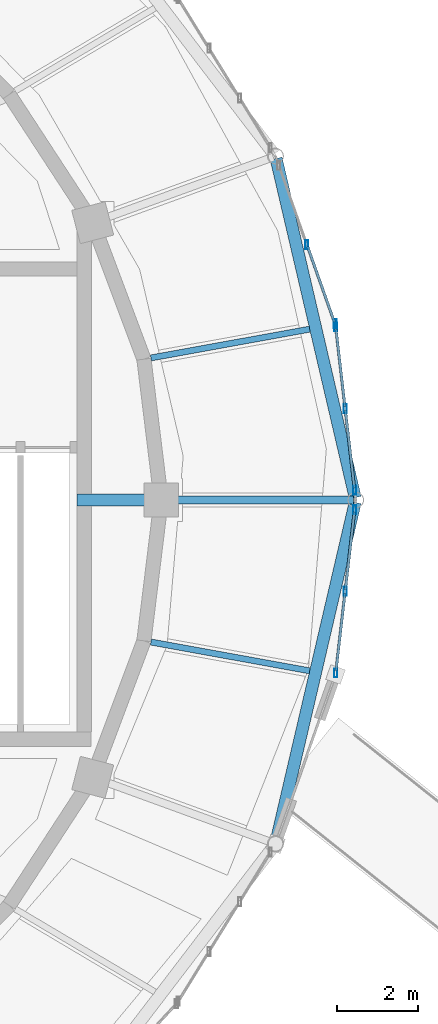
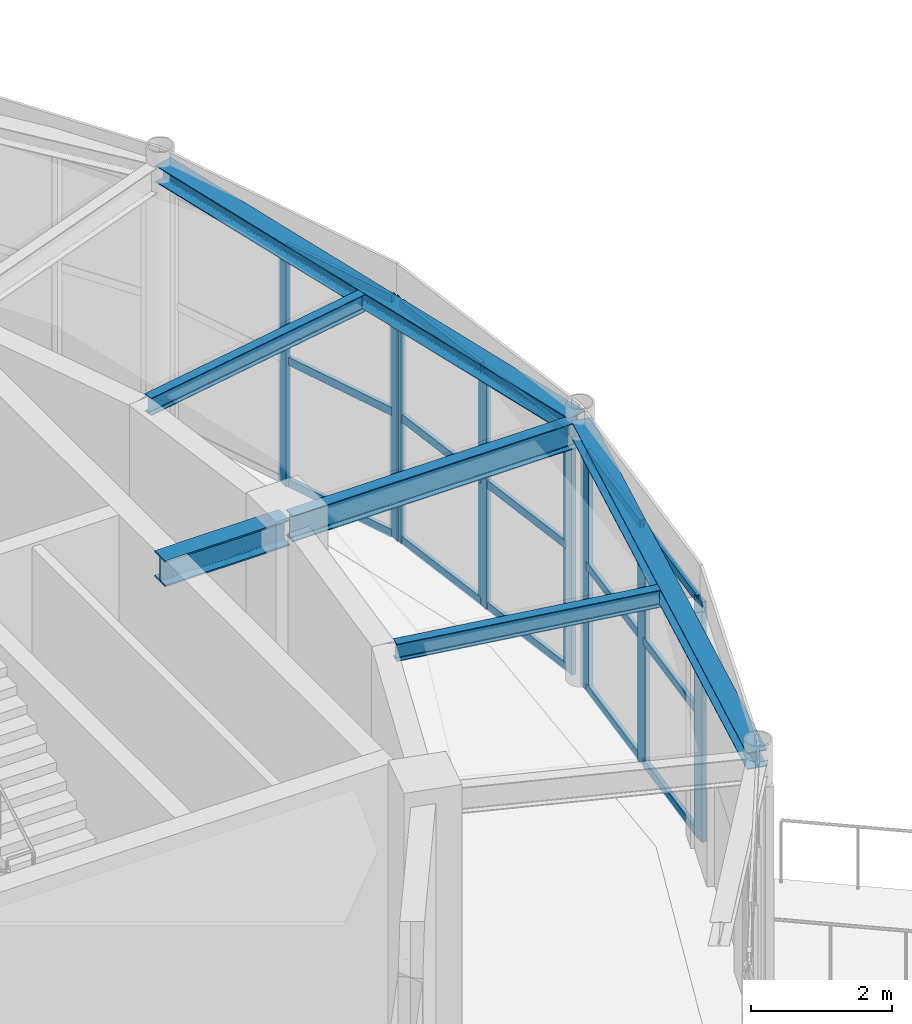
# One storey, part 41 of 100: 23 members, 6 beams, 3 elements without a shape of their own.
"""IFC4 building model written with IfcOpenShell, lengths in metres."""

from ifc_helpers import new_model, si_unit, direction, frame, origin, origin_2d, place, context, subcontext, project, spatial, hollow_rectangle, i_section, extrude, material, material_profile, profile_set, type_object, element, aggregate, save


model = new_model("IFC4")

# Units and contexts
model_context = context("Model", 3, precision=1e-05, world=origin(), true_north=direction((0.0, 1.0)))
body_context = subcontext(model_context, "Body", "Model", "MODEL_VIEW")
ifc_project = project(units=[si_unit("LENGTHUNIT", "METRE"), si_unit("AREAUNIT", "SQUARE_METRE"), si_unit("VOLUMEUNIT", "CUBIC_METRE"), si_unit("PLANEANGLEUNIT", "RADIAN"), si_unit("MASSUNIT", "GRAM", prefix="KILO")], contexts=[model_context])

# Site, building, storey
site_placement = place(None, origin())
site = spatial("IfcSite", under=ifc_project, at=site_placement, CompositionType="ELEMENT")
building_placement = place(site_placement, origin())
building = spatial("IfcBuilding", under=site, at=building_placement, Name="Tarnveldt Headland Concert Hall", CompositionType="ELEMENT")
storey_placement = place(building_placement, frame((0.0, 0.0, 4.800048828125)))
storey = spatial("IfcBuildingStorey", under=building, at=storey_placement, Name="L01", CompositionType="ELEMENT", Elevation=4.800048828125)

# Curtain wall, members
ifc_material_1 = material(Name="Marine-anodised aluminium EN AW-6063-T6", Category="aluminium")
curtain_wall_type = type_object("IfcCurtainWallType", Name="CW-F2", PredefinedType="NOTDEFINED", material=ifc_material_1)
curtain_wall_1_placement = place(storey_placement, origin())
curtain_wall_1 = element("IfcCurtainWall", 1, at=curtain_wall_1_placement, inside=storey, type_object=curtain_wall_type, Name="Curtain wall CW-L01-027", PredefinedType="NOTDEFINED")
ifc_material_profile_1 = material_profile(ifc_material_1, hollow_rectangle(XDim=0.074951171875, YDim=0.219970703125, WallThickness=0.0048828125, at=origin_2d()), Name="ALU MULLION 75x220x5", Category="aluminium")
ifc_profile_set_1 = profile_set([ifc_material_profile_1], Name="Marine-anodised aluminium EN AW-6063-T6")
member_type_1 = type_object("IfcMemberType", Name="ML-200", PredefinedType="MULLION", material=ifc_profile_set_1)
member_1_placement = place(storey_placement, frame((116.27197265625, 54.74169921875, 0.0), z_axis=(0.0, 0.0, 1.0), x_axis=(1.0, 0.0, 0.0)))
member_1 = element("IfcMember", 2, at=member_1_placement, type_object=member_type_1, Name="Mullion CW-L01-027-1", PredefinedType="MULLION", context=body_context, shape_type="SweptSolid", body=[
    extrude(hollow_rectangle(XDim=0.074951171875, YDim=0.219970703125, WallThickness=0.0048828125, at=origin_2d()), origin(), (0.0, 0.0, 1.0), 4.159912109375),
])
member_2_placement = place(storey_placement, frame((116.039306640625, 56.754150390625, 0.0), z_axis=(0.0, 0.0, 1.0), x_axis=(1.0, 0.0, 0.0)))
member_2 = element("IfcMember", 3, at=member_2_placement, type_object=member_type_1, Name="Mullion CW-L01-027-2", PredefinedType="MULLION", context=body_context, shape_type="SweptSolid", body=[
    extrude(hollow_rectangle(XDim=0.074951171875, YDim=0.219970703125, WallThickness=0.0048828125, at=origin_2d()), origin(), (0.0, 0.0, 1.0), 4.159912109375),
])
member_3_placement = place(storey_placement, frame((115.806396484375, 58.766845703125, 0.0), z_axis=(0.0, 0.0, 1.0), x_axis=(1.0, 0.0, 0.0)))
member_3 = element("IfcMember", 4, at=member_3_placement, type_object=member_type_1, Name="Mullion CW-L01-027-3", PredefinedType="MULLION", context=body_context, shape_type="SweptSolid", body=[
    extrude(hollow_rectangle(XDim=0.074951171875, YDim=0.219970703125, WallThickness=0.0048828125, at=origin_2d()), origin(), (0.0, 0.0, 1.0), 4.159912109375),
])

curtain_wall_2_placement = place(storey_placement, origin())
curtain_wall_2 = element("IfcCurtainWall", 5, at=curtain_wall_2_placement, inside=storey, type_object=curtain_wall_type, Name="Curtain wall CW-L01-028", PredefinedType="NOTDEFINED")
member_4_placement = place(storey_placement, frame((115.788330078125, 58.84423828125, 0.0), z_axis=(0.0, 0.0, 1.0), x_axis=(1.0, 0.0, 0.0)))
member_4 = element("IfcMember", 6, at=member_4_placement, type_object=member_type_1, Name="Mullion CW-L01-028-1", PredefinedType="MULLION", context=body_context, shape_type="SweptSolid", body=[
    extrude(hollow_rectangle(XDim=0.074951171875, YDim=0.219970703125, WallThickness=0.0048828125, at=origin_2d()), origin(), (0.0, 0.0, 1.0), 4.159912109375),
])
member_5_placement = place(storey_placement, frame((115.095703125, 60.798583984375, 0.0), z_axis=(0.0, 0.0, 1.0), x_axis=(1.0, 0.0, 0.0)))
member_5 = element("IfcMember", 7, at=member_5_placement, type_object=member_type_1, Name="Mullion CW-L01-028-2", PredefinedType="MULLION", context=body_context, shape_type="SweptSolid", body=[
    extrude(hollow_rectangle(XDim=0.074951171875, YDim=0.219970703125, WallThickness=0.0048828125, at=origin_2d()), origin(), (0.0, 0.0, 1.0), 4.159912109375),
])

curtain_wall_3_placement = place(storey_placement, origin())
curtain_wall_3 = element("IfcCurtainWall", 8, at=curtain_wall_3_placement, inside=storey, type_object=curtain_wall_type, Name="Curtain wall CW-L01-059", PredefinedType="NOTDEFINED")
member_6_placement = place(storey_placement, frame((115.806396484375, 50.233154296875, 0.0), z_axis=(0.0, 0.0, 1.0), x_axis=(1.0, 0.0, 0.0)))
member_6 = element("IfcMember", 9, at=member_6_placement, type_object=member_type_1, Name="Mullion CW-L01-059-1", PredefinedType="MULLION", context=body_context, shape_type="SweptSolid", body=[
    extrude(hollow_rectangle(XDim=0.074951171875, YDim=0.219970703125, WallThickness=0.0048828125, at=origin_2d()), origin(), (0.0, 0.0, 1.0), 4.159912109375),
])
member_7_placement = place(storey_placement, frame((116.039306640625, 52.245849609375, 0.0), z_axis=(0.0, 0.0, 1.0), x_axis=(1.0, 0.0, 0.0)))
member_7 = element("IfcMember", 10, at=member_7_placement, type_object=member_type_1, Name="Mullion CW-L01-059-2", PredefinedType="MULLION", context=body_context, shape_type="SweptSolid", body=[
    extrude(hollow_rectangle(XDim=0.074951171875, YDim=0.219970703125, WallThickness=0.0048828125, at=origin_2d()), origin(), (0.0, 0.0, 1.0), 4.159912109375),
])
member_8_placement = place(storey_placement, frame((116.27197265625, 54.25830078125, 0.0), z_axis=(0.0, 0.0, 1.0), x_axis=(1.0, 0.0, 0.0)))
member_8 = element("IfcMember", 11, at=member_8_placement, type_object=member_type_1, Name="Mullion CW-L01-059-3", PredefinedType="MULLION", context=body_context, shape_type="SweptSolid", body=[
    extrude(hollow_rectangle(XDim=0.074951171875, YDim=0.219970703125, WallThickness=0.0048828125, at=origin_2d()), origin(), (0.0, 0.0, 1.0), 4.159912109375),
])

# Beams
ifc_material_2 = material(Name="Steel S355", Category="steel")
ifc_material_profile_2 = material_profile(ifc_material_2, i_section(OverallWidth=0.300048828125, OverallDepth=0.2900390625, WebThickness=0.008544921875, FlangeThickness=0.013916015625, FilletRadius=0.027099609375, at=origin_2d()), Name="HEA300", Category="steel")
ifc_profile_set_2 = profile_set([ifc_material_profile_2], Name="Steel S355")
beam_type_1 = type_object("IfcBeamType", Name="SB-HEA300", PredefinedType="SPANDREL", material=ifc_profile_set_2)
for number, where, z_axis, x_axis, name in (
    (12, (116.286376953125, 54.558349609375, 4.39501953125), (-0.227123591729, 0.973865942561, 0.0), (-0.973865942561, -0.227123591729, 0.0), "Framing beam L01-678"),
    (13, (114.33544921875, 46.076416015625, 4.39501953125), (0.227123591729, 0.973865942561, 0.0), (-0.973865942561, 0.227123591729, 0.0), "Framing beam L01-729"),
):
    element("IfcBeam", number, at=place(storey_placement, frame(where, z_axis=z_axis, x_axis=x_axis)), inside=storey, type_object=beam_type_1, Name=name, PredefinedType="SPANDREL", context=body_context, shape_type="SweptSolid", body=[
        extrude(i_section(OverallWidth=0.300048828125, OverallDepth=0.2900390625, WebThickness=0.008544921875, FlangeThickness=0.013916015625, FilletRadius=0.027099609375, at=origin_2d()), origin(), (0.0, 0.0, 1.0), 8.589599609375),
    ])
ifc_material_profile_3 = material_profile(ifc_material_2, i_section(OverallWidth=0.300048828125, OverallDepth=0.449951171875, WebThickness=0.013916015625, FlangeThickness=0.02587890625, FilletRadius=0.027099609375, at=origin_2d()), Name="HEB450", Category="steel")
ifc_profile_set_3 = profile_set([ifc_material_profile_3], Name="Steel S355")
beam_type_2 = type_object("IfcBeamType", Name="SB-HEB450", PredefinedType="BEAM", material=ifc_profile_set_3)
beam_1_placement = place(storey_placement, frame((109.419921875, 54.5, 4.31494140625), z_axis=(1.0, 0.0, 0.0), x_axis=(0.0, 1.0, 0.0)))
element("IfcBeam", 14, at=beam_1_placement, inside=storey, type_object=beam_type_2, Name="Framing beam L01-732", PredefinedType="BEAM", context=body_context, shape_type="SweptSolid", body=[
    extrude(i_section(OverallWidth=0.300048828125, OverallDepth=0.449951171875, WebThickness=0.013916015625, FlangeThickness=0.02587890625, FilletRadius=0.027099609375, at=origin_2d()), origin(), (0.0, 0.0, 1.0), 2.0400390625),
])
ifc_material_profile_4 = material_profile(ifc_material_2, i_section(OverallWidth=0.14990234375, OverallDepth=0.300048828125, WebThickness=0.007080078125, FlangeThickness=0.0107421875, FilletRadius=0.014892578125, at=origin_2d()), Name="IPE300", Category="steel")
ifc_profile_set_4 = profile_set([ifc_material_profile_4], Name="Steel S355")
beam_type_3 = type_object("IfcBeamType", Name="SB-IPE300", PredefinedType="JOIST", material=ifc_profile_set_4)
for number, where, z_axis, x_axis, name in (
    (15, (111.246826171875, 58.004150390625, 4.389892578125), (0.983953220183, 0.178426624954, 0.0), (-0.178426624954, 0.983953220183, 0.0), "Framing beam L01-680"),
    (16, (111.246826171875, 50.995849609375, 4.389892578125), (0.983953220183, -0.178426624954, 0.0), (0.178426624954, 0.983953220183, 0.0), "Framing beam L01-731"),
):
    element("IfcBeam", number, at=place(storey_placement, frame(where, z_axis=z_axis, x_axis=x_axis)), inside=storey, type_object=beam_type_3, Name=name, PredefinedType="JOIST", context=body_context, shape_type="SweptSolid", body=[
        extrude(i_section(OverallWidth=0.14990234375, OverallDepth=0.300048828125, WebThickness=0.007080078125, FlangeThickness=0.0107421875, FilletRadius=0.014892578125, at=origin_2d()), origin(), (0.0, 0.0, 1.0), 3.98046875),
    ])
ifc_material_profile_5 = material_profile(ifc_material_2, i_section(OverallWidth=0.18994140625, OverallDepth=0.449951171875, WebThickness=0.009521484375, FlangeThickness=0.0146484375, FilletRadius=0.02099609375, at=origin_2d()), Name="IPE450", Category="steel")
ifc_profile_set_5 = profile_set([ifc_material_profile_5], Name="Steel S355")
beam_type_4 = type_object("IfcBeamType", Name="SB-IPE450", PredefinedType="BEAM", material=ifc_profile_set_5)
beam_2_placement = place(storey_placement, frame((111.5400390625, 54.5, 4.31494140625), z_axis=(1.0, 0.0, 0.0), x_axis=(0.0, 1.0, 0.0)))
element("IfcBeam", 17, at=beam_2_placement, inside=storey, type_object=beam_type_4, Name="Framing beam L01-679", PredefinedType="BEAM", context=body_context, shape_type="SweptSolid", body=[
    extrude(i_section(OverallWidth=0.18994140625, OverallDepth=0.449951171875, WebThickness=0.009521484375, FlangeThickness=0.0146484375, FilletRadius=0.02099609375, at=origin_2d()), origin(), (0.0, 0.0, 1.0), 4.699951171875),
])

# Member
ifc_material_profile_6 = material_profile(ifc_material_1, hollow_rectangle(XDim=0.06494140625, YDim=0.139892578125, WallThickness=0.00390625, at=origin_2d()), Name="ALU TRANSOM 65x140x4", Category="aluminium")
ifc_profile_set_6 = profile_set([ifc_material_profile_6], Name="Marine-anodised aluminium EN AW-6063-T6")
member_type_2 = type_object("IfcMemberType", Name="TR-140", PredefinedType="MEMBER", material=ifc_profile_set_6)
member_9_placement = place(storey_placement, frame((116.266357421875, 54.790771484375, 0.050048828125), z_axis=(-0.114907814894, 0.993376159406, 0.0), x_axis=(-0.993376159406, -0.114907814894, 0.0)))
member_9 = element("IfcMember", 18, at=member_9_placement, type_object=member_type_2, Name="Transom CW-L01-027-1-1", PredefinedType="MEMBER", context=body_context, shape_type="SweptSolid", body=[
    extrude(hollow_rectangle(XDim=0.06494140625, YDim=0.139892578125, WallThickness=0.00390625, at=origin_2d()), origin(), (0.0, 0.0, 1.0), 1.927001953125),
])

member_10_placement = place(storey_placement, frame((116.266357421875, 54.790771484375, 2.1630859375), z_axis=(-0.114907814894, 0.993376159406, 0.0), x_axis=(-0.993376159406, -0.114907814894, 0.0)))
member_10 = element("IfcMember", 19, at=member_10_placement, type_object=member_type_2, Name="Transom CW-L01-027-1-2", PredefinedType="MEMBER", context=body_context, shape_type="SweptSolid", body=[
    extrude(hollow_rectangle(XDim=0.06494140625, YDim=0.139892578125, WallThickness=0.00390625, at=origin_2d()), origin(), (0.0, 0.0, 1.0), 1.927001953125),
])

member_11_placement = place(storey_placement, frame((116.266357421875, 54.790771484375, 4.10986328125), z_axis=(-0.114907814894, 0.993376159406, 0.0), x_axis=(-0.993376159406, -0.114907814894, 0.0)))
member_11 = element("IfcMember", 20, at=member_11_placement, type_object=member_type_2, Name="Transom CW-L01-027-1-3", PredefinedType="MEMBER", context=body_context, shape_type="SweptSolid", body=[
    extrude(hollow_rectangle(XDim=0.06494140625, YDim=0.139892578125, WallThickness=0.00390625, at=origin_2d()), origin(), (0.0, 0.0, 1.0), 1.927001953125),
])

member_12_placement = place(storey_placement, frame((116.033447265625, 56.803466796875, 0.050048828125), z_axis=(-0.114922277943, 0.9933744863, 0.0), x_axis=(-0.9933744863, -0.114922277943, 0.0)))
member_12 = element("IfcMember", 21, at=member_12_placement, type_object=member_type_2, Name="Transom CW-L01-027-2-1", PredefinedType="MEMBER", context=body_context, shape_type="SweptSolid", body=[
    extrude(hollow_rectangle(XDim=0.06494140625, YDim=0.139892578125, WallThickness=0.00390625, at=origin_2d()), origin(), (0.0, 0.0, 1.0), 1.9267578125),
])

member_13_placement = place(storey_placement, frame((116.033447265625, 56.803466796875, 2.1630859375), z_axis=(-0.114922277943, 0.9933744863, 0.0), x_axis=(-0.9933744863, -0.114922277943, 0.0)))
member_13 = element("IfcMember", 22, at=member_13_placement, type_object=member_type_2, Name="Transom CW-L01-027-2-2", PredefinedType="MEMBER", context=body_context, shape_type="SweptSolid", body=[
    extrude(hollow_rectangle(XDim=0.06494140625, YDim=0.139892578125, WallThickness=0.00390625, at=origin_2d()), origin(), (0.0, 0.0, 1.0), 1.9267578125),
])

member_14_placement = place(storey_placement, frame((116.033447265625, 56.803466796875, 4.10986328125), z_axis=(-0.114922277943, 0.9933744863, 0.0), x_axis=(-0.9933744863, -0.114922277943, 0.0)))
member_14 = element("IfcMember", 23, at=member_14_placement, type_object=member_type_2, Name="Transom CW-L01-027-2-3", PredefinedType="MEMBER", context=body_context, shape_type="SweptSolid", body=[
    extrude(hollow_rectangle(XDim=0.06494140625, YDim=0.139892578125, WallThickness=0.00390625, at=origin_2d()), origin(), (0.0, 0.0, 1.0), 1.9267578125),
])

aggregate(curtain_wall_1, [member_1, member_2, member_3, member_9, member_10, member_11, member_12, member_13, member_14])

member_15_placement = place(storey_placement, frame((115.771728515625, 58.890869140625, 0.050048828125), z_axis=(-0.333977607749, 0.942581008467, 0.0), x_axis=(-0.942581008467, -0.333977607749, 0.0)))
member_15 = element("IfcMember", 24, at=member_15_placement, type_object=member_type_2, Name="Transom CW-L01-028-1-1", PredefinedType="MEMBER", context=body_context, shape_type="SweptSolid", body=[
    extrude(hollow_rectangle(XDim=0.06494140625, YDim=0.139892578125, WallThickness=0.00390625, at=origin_2d()), origin(), (0.0, 0.0, 1.0), 1.974365234375),
])

member_16_placement = place(storey_placement, frame((115.771728515625, 58.890869140625, 2.1630859375), z_axis=(-0.333977607749, 0.942581008467, 0.0), x_axis=(-0.942581008467, -0.333977607749, 0.0)))
member_16 = element("IfcMember", 25, at=member_16_placement, type_object=member_type_2, Name="Transom CW-L01-028-1-2", PredefinedType="MEMBER", context=body_context, shape_type="SweptSolid", body=[
    extrude(hollow_rectangle(XDim=0.06494140625, YDim=0.139892578125, WallThickness=0.00390625, at=origin_2d()), origin(), (0.0, 0.0, 1.0), 1.974365234375),
])

member_17_placement = place(storey_placement, frame((115.771728515625, 58.890869140625, 4.10986328125), z_axis=(-0.333977607749, 0.942581008467, 0.0), x_axis=(-0.942581008467, -0.333977607749, 0.0)))
member_17 = element("IfcMember", 26, at=member_17_placement, type_object=member_type_2, Name="Transom CW-L01-028-1-3", PredefinedType="MEMBER", context=body_context, shape_type="SweptSolid", body=[
    extrude(hollow_rectangle(XDim=0.06494140625, YDim=0.139892578125, WallThickness=0.00390625, at=origin_2d()), origin(), (0.0, 0.0, 1.0), 1.974365234375),
])

aggregate(curtain_wall_2, [member_4, member_5, member_15, member_16, member_17])

member_18_placement = place(storey_placement, frame((115.81201171875, 50.282470703125, 0.050048828125), z_axis=(0.114922277943, 0.9933744863, 0.0), x_axis=(-0.9933744863, 0.114922277943, 0.0)))
member_18 = element("IfcMember", 27, at=member_18_placement, type_object=member_type_2, Name="Transom CW-L01-059-1-1", PredefinedType="MEMBER", context=body_context, shape_type="SweptSolid", body=[
    extrude(hollow_rectangle(XDim=0.06494140625, YDim=0.139892578125, WallThickness=0.00390625, at=origin_2d()), origin(), (0.0, 0.0, 1.0), 1.9267578125),
])

member_19_placement = place(storey_placement, frame((115.81201171875, 50.282470703125, 2.1630859375), z_axis=(0.114922277943, 0.9933744863, 0.0), x_axis=(-0.9933744863, 0.114922277943, 0.0)))
member_19 = element("IfcMember", 28, at=member_19_placement, type_object=member_type_2, Name="Transom CW-L01-059-1-2", PredefinedType="MEMBER", context=body_context, shape_type="SweptSolid", body=[
    extrude(hollow_rectangle(XDim=0.06494140625, YDim=0.139892578125, WallThickness=0.00390625, at=origin_2d()), origin(), (0.0, 0.0, 1.0), 1.9267578125),
])

member_20_placement = place(storey_placement, frame((115.81201171875, 50.282470703125, 4.10986328125), z_axis=(0.114922277943, 0.9933744863, 0.0), x_axis=(-0.9933744863, 0.114922277943, 0.0)))
member_20 = element("IfcMember", 29, at=member_20_placement, type_object=member_type_2, Name="Transom CW-L01-059-1-3", PredefinedType="MEMBER", context=body_context, shape_type="SweptSolid", body=[
    extrude(hollow_rectangle(XDim=0.06494140625, YDim=0.139892578125, WallThickness=0.00390625, at=origin_2d()), origin(), (0.0, 0.0, 1.0), 1.9267578125),
])

member_21_placement = place(storey_placement, frame((116.044921875, 52.294921875, 0.050048828125), z_axis=(0.114907814894, 0.993376159406, 0.0), x_axis=(-0.993376159406, 0.114907814894, 0.0)))
member_21 = element("IfcMember", 30, at=member_21_placement, type_object=member_type_2, Name="Transom CW-L01-059-2-1", PredefinedType="MEMBER", context=body_context, shape_type="SweptSolid", body=[
    extrude(hollow_rectangle(XDim=0.06494140625, YDim=0.139892578125, WallThickness=0.00390625, at=origin_2d()), origin(), (0.0, 0.0, 1.0), 1.927001953125),
])

member_22_placement = place(storey_placement, frame((116.044921875, 52.294921875, 2.1630859375), z_axis=(0.114907814894, 0.993376159406, 0.0), x_axis=(-0.993376159406, 0.114907814894, 0.0)))
member_22 = element("IfcMember", 31, at=member_22_placement, type_object=member_type_2, Name="Transom CW-L01-059-2-2", PredefinedType="MEMBER", context=body_context, shape_type="SweptSolid", body=[
    extrude(hollow_rectangle(XDim=0.06494140625, YDim=0.139892578125, WallThickness=0.00390625, at=origin_2d()), origin(), (0.0, 0.0, 1.0), 1.927001953125),
])

member_23_placement = place(storey_placement, frame((116.044921875, 52.294921875, 4.10986328125), z_axis=(0.114907814894, 0.993376159406, 0.0), x_axis=(-0.993376159406, 0.114907814894, 0.0)))
member_23 = element("IfcMember", 32, at=member_23_placement, type_object=member_type_2, Name="Transom CW-L01-059-2-3", PredefinedType="MEMBER", context=body_context, shape_type="SweptSolid", body=[
    extrude(hollow_rectangle(XDim=0.06494140625, YDim=0.139892578125, WallThickness=0.00390625, at=origin_2d()), origin(), (0.0, 0.0, 1.0), 1.927001953125),
])

aggregate(curtain_wall_3, [member_6, member_7, member_8, member_18, member_19, member_20, member_21, member_22, member_23])

save(model, "model.ifc")
